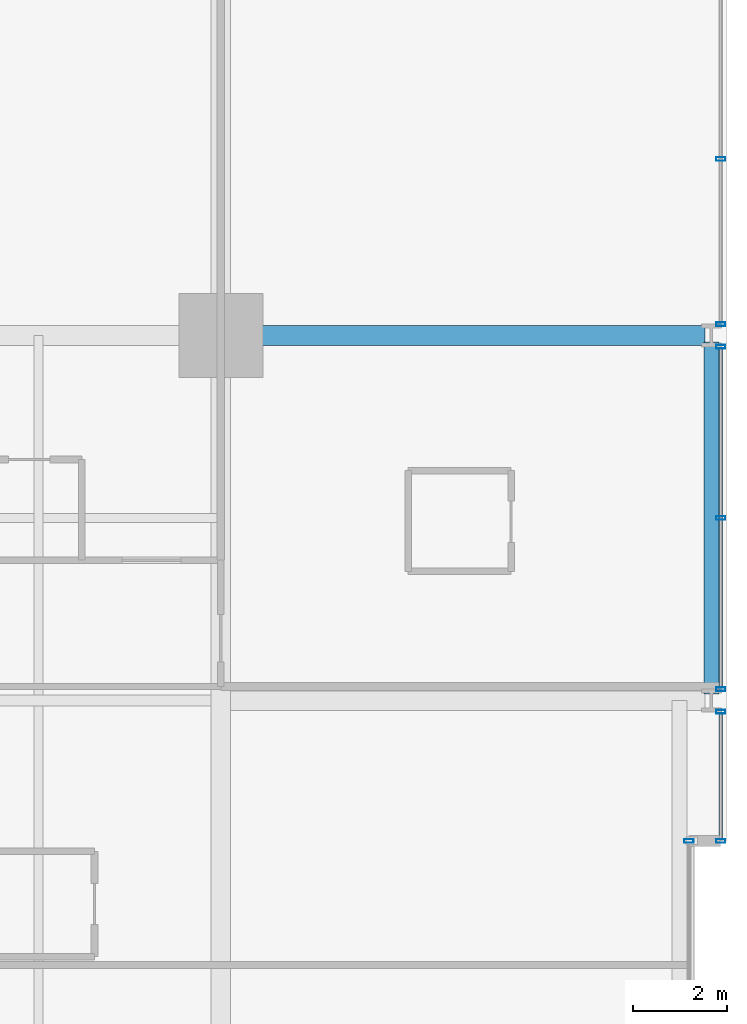
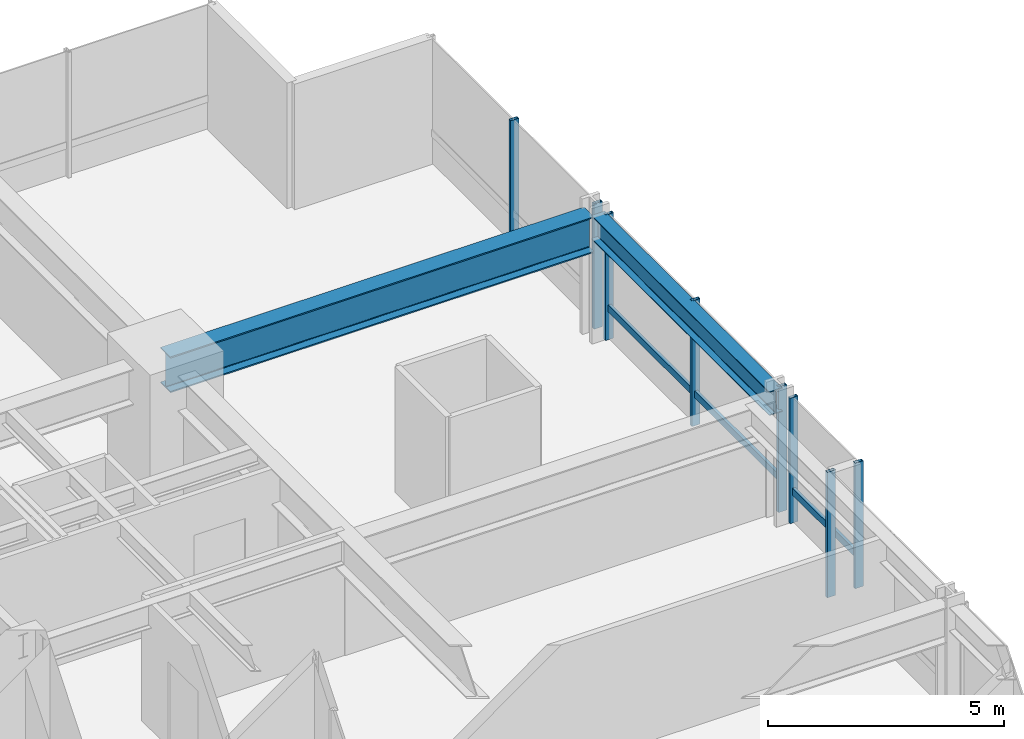
# One storey, part 25 of 38: 10 members, 2 beams, 4 elements without a shape of their own.
"""IFC4 building model written with IfcOpenShell, lengths in metres."""

from ifc_helpers import new_model, si_unit, direction, frame, origin, origin_2d, place, context, subcontext, project, spatial, hollow_rectangle, i_section, extrude, material, layer, layer_set, material_profile, profile_set, type_object, element, aggregate, save


model = new_model("IFC4")

# Units and contexts
model_context = context("Model", 3, precision=1e-05, world=origin(), true_north=direction((0.0, 1.0)))
body_context = subcontext(model_context, "Body", "Model", "MODEL_VIEW")
ifc_project = project(units=[si_unit("LENGTHUNIT", "METRE"), si_unit("AREAUNIT", "SQUARE_METRE"), si_unit("VOLUMEUNIT", "CUBIC_METRE"), si_unit("PLANEANGLEUNIT", "RADIAN"), si_unit("MASSUNIT", "GRAM", prefix="KILO")], contexts=[model_context])

# Site, building, storey
site_placement = place(None, origin())
site = spatial("IfcSite", under=ifc_project, at=site_placement, CompositionType="ELEMENT")
building_placement = place(site_placement, origin())
building = spatial("IfcBuilding", under=site, at=building_placement, Name="Drelvath Grand Hotel", CompositionType="ELEMENT")
storey_placement = place(building_placement, frame((0.0, 0.0, 57.699951171875)))
storey = spatial("IfcBuildingStorey", under=building, at=storey_placement, Name="L13", CompositionType="ELEMENT", Elevation=57.699951171875)

# Curtain wall, member
ifc_material_1 = material(Name="Warm Bronze Anodised Aluminium Frame", Category="aluminium")
ifc_layer = layer(ifc_material_1, 0.199951171875)
ifc_layer_set = layer_set([ifc_layer], Name="Warm Bronze Anodised Aluminium Frame")
curtain_wall_type = type_object("IfcCurtainWallType", Name="Stick Curtain Wall CW-02 Warm Bronze Low-Rise", PredefinedType="NOTDEFINED", material=ifc_layer_set)
curtain_wall_1_placement = place(storey_placement, origin())
curtain_wall_1 = element("IfcCurtainWall", 1, at=curtain_wall_1_placement, inside=storey, type_object=curtain_wall_type, Name="L13 CW-02 Curtain Wall CW02-L13-EN1", PredefinedType="NOTDEFINED")
ifc_material_profile_1 = material_profile(ifc_material_1, hollow_rectangle(XDim=0.074951171875, YDim=0.179931640625, WallThickness=0.0048828125, at=origin_2d()), Name="HSS180X75X5")
ifc_profile_set_1 = profile_set([ifc_material_profile_1], Name="Warm Bronze Anodised Aluminium Frame")
member_type_1 = type_object("IfcMemberType", Name="Curtain Wall Horizontal Transom CW-02 HSS180X75X5", PredefinedType="USERDEFINED", material=ifc_profile_set_1)
member_1_placement = place(storey_placement, frame((26.8798828125, 35.119140625, 0.81005859375), z_axis=(0.0, -1.0, 0.0), x_axis=(1.0, 0.0, 0.0)))
member_1 = element("IfcMember", 2, at=member_1_placement, type_object=member_type_1, Name="CW02-L13-EN1 Sill Transom", ObjectType="TRANSOM", PredefinedType="USERDEFINED", context=body_context, shape_type="SweptSolid", body=[
    extrude(hollow_rectangle(XDim=0.074951171875, YDim=0.179931640625, WallThickness=0.0048828125, at=origin_2d()), origin(), (0.0, 0.0, 1.0), 2.67919921875),
])

curtain_wall_2_placement = place(storey_placement, origin())
curtain_wall_2 = element("IfcCurtainWall", 3, at=curtain_wall_2_placement, inside=storey, type_object=curtain_wall_type, Name="L13 CW-02 Curtain Wall CW02-L13-EN2", PredefinedType="NOTDEFINED")
member_2_placement = place(storey_placement, frame((26.8798828125, 42.919189453125, 0.81005859375), z_axis=(0.0, -1.0, 0.0), x_axis=(1.0, 0.0, 0.0)))
member_2 = element("IfcMember", 4, at=member_2_placement, type_object=member_type_1, Name="CW02-L13-EN2 Sill Transom", ObjectType="TRANSOM", PredefinedType="USERDEFINED", context=body_context, shape_type="SweptSolid", body=[
    extrude(hollow_rectangle(XDim=0.074951171875, YDim=0.179931640625, WallThickness=0.0048828125, at=origin_2d()), origin(), (0.0, 0.0, 1.0), 7.23828125),
])

# Member
ifc_material_profile_2 = material_profile(ifc_material_1, hollow_rectangle(XDim=0.080078125, YDim=0.199951171875, WallThickness=0.0048828125, at=origin_2d()), Name="HSS200X80X5")
ifc_profile_set_2 = profile_set([ifc_material_profile_2], Name="Warm Bronze Anodised Aluminium Frame")
member_type_2 = type_object("IfcMemberType", Name="Curtain Wall Vertical Mullion CW-02 HSS200X80X5", PredefinedType="MULLION", material=ifc_profile_set_2)
member_3_placement = place(storey_placement, frame((26.8798828125, 35.1591796875, 0.0), z_axis=(0.0, 0.0, 1.0), x_axis=(0.0, 1.0, 0.0)))
member_3 = element("IfcMember", 5, at=member_3_placement, type_object=member_type_2, Name="CW02-L13-EN1 Mullion 1", PredefinedType="MULLION", context=body_context, shape_type="SweptSolid", body=[
    extrude(hollow_rectangle(XDim=0.080078125, YDim=0.199951171875, WallThickness=0.0048828125, at=origin_2d()), origin(), (0.0, 0.0, 1.0), 3.239990234375),
])

member_4_placement = place(storey_placement, frame((26.8798828125, 32.39990234375, 0.0), z_axis=(0.0, 0.0, 1.0), x_axis=(0.0, 1.0, 0.0)))
member_4 = element("IfcMember", 6, at=member_4_placement, type_object=member_type_2, Name="CW02-L13-EN1 Mullion 2", PredefinedType="MULLION", context=body_context, shape_type="SweptSolid", body=[
    extrude(hollow_rectangle(XDim=0.080078125, YDim=0.199951171875, WallThickness=0.0048828125, at=origin_2d()), origin(), (0.0, 0.0, 1.0), 3.239990234375),
])

aggregate(curtain_wall_1, [member_3, member_4, member_1])

member_5_placement = place(storey_placement, frame((26.8798828125, 42.958984375, 0.0), z_axis=(0.0, 0.0, 1.0), x_axis=(0.0, 1.0, 0.0)))
member_5 = element("IfcMember", 7, at=member_5_placement, type_object=member_type_2, Name="CW02-L13-EN2 Mullion 1", PredefinedType="MULLION", context=body_context, shape_type="SweptSolid", body=[
    extrude(hollow_rectangle(XDim=0.080078125, YDim=0.199951171875, WallThickness=0.0048828125, at=origin_2d()), origin(), (0.0, 0.0, 1.0), 3.239990234375),
])

member_6_placement = place(storey_placement, frame((26.8798828125, 39.300048828125, 0.0), z_axis=(0.0, 0.0, 1.0), x_axis=(0.0, 1.0, 0.0)))
member_6 = element("IfcMember", 8, at=member_6_placement, type_object=member_type_2, Name="CW02-L13-EN2 Mullion 2", PredefinedType="MULLION", context=body_context, shape_type="SweptSolid", body=[
    extrude(hollow_rectangle(XDim=0.080078125, YDim=0.199951171875, WallThickness=0.0048828125, at=origin_2d()), origin(), (0.0, 0.0, 1.0), 3.239990234375),
])

member_7_placement = place(storey_placement, frame((26.8798828125, 35.640869140625, 0.0), z_axis=(0.0, 0.0, 1.0), x_axis=(0.0, 1.0, 0.0)))
member_7 = element("IfcMember", 9, at=member_7_placement, type_object=member_type_2, Name="CW02-L13-EN2 Mullion 3", PredefinedType="MULLION", context=body_context, shape_type="SweptSolid", body=[
    extrude(hollow_rectangle(XDim=0.080078125, YDim=0.199951171875, WallThickness=0.0048828125, at=origin_2d()), origin(), (0.0, 0.0, 1.0), 3.239990234375),
])

aggregate(curtain_wall_2, [member_5, member_6, member_7, member_2])

# Curtain wall, members
curtain_wall_3_placement = place(storey_placement, origin())
curtain_wall_3 = element("IfcCurtainWall", 10, at=curtain_wall_3_placement, inside=storey, type_object=curtain_wall_type, Name="L13 CW-02 Curtain Wall CW02-L13-EN3", PredefinedType="NOTDEFINED")
member_8_placement = place(storey_placement, frame((26.8798828125, 46.970458984375, 0.0), z_axis=(0.0, 0.0, 1.0), x_axis=(0.0, 1.0, 0.0)))
member_8 = element("IfcMember", 11, at=member_8_placement, type_object=member_type_2, Name="CW02-L13-EN3 Mullion 2", PredefinedType="MULLION", context=body_context, shape_type="SweptSolid", body=[
    extrude(hollow_rectangle(XDim=0.080078125, YDim=0.199951171875, WallThickness=0.0048828125, at=origin_2d()), origin(), (0.0, 0.0, 1.0), 3.239990234375),
])
member_9_placement = place(storey_placement, frame((26.8798828125, 43.44091796875, 0.0), z_axis=(0.0, 0.0, 1.0), x_axis=(0.0, 1.0, 0.0)))
member_9 = element("IfcMember", 12, at=member_9_placement, type_object=member_type_2, Name="CW02-L13-EN3 Mullion 3", PredefinedType="MULLION", context=body_context, shape_type="SweptSolid", body=[
    extrude(hollow_rectangle(XDim=0.080078125, YDim=0.199951171875, WallThickness=0.0048828125, at=origin_2d()), origin(), (0.0, 0.0, 1.0), 3.239990234375),
])
aggregate(curtain_wall_3, [member_8, member_9])

# Curtain wall, member
curtain_wall_4_placement = place(storey_placement, origin())
curtain_wall_4 = element("IfcCurtainWall", 13, at=curtain_wall_4_placement, inside=storey, type_object=curtain_wall_type, Name="L13 CW-02 Curtain Wall CW02-L13-EM2", PredefinedType="NOTDEFINED")
member_10_placement = place(storey_placement, frame((26.199951171875, 32.39990234375, 0.0), z_axis=(0.0, 0.0, 1.0), x_axis=(0.0, 1.0, 0.0)))
member_10 = element("IfcMember", 14, at=member_10_placement, type_object=member_type_2, Name="CW02-L13-EM2 Mullion 1", PredefinedType="MULLION", context=body_context, shape_type="SweptSolid", body=[
    extrude(hollow_rectangle(XDim=0.080078125, YDim=0.199951171875, WallThickness=0.0048828125, at=origin_2d()), origin(), (0.0, 0.0, 1.0), 3.239990234375),
])
aggregate(curtain_wall_4, [member_10])

# Beams
ifc_material_2 = material(Name="Steel ASTM A992 Gr 50", Category="steel")
ifc_material_profile_3 = material_profile(ifc_material_2, i_section(OverallWidth=0.323974609375, OverallDepth=0.611083984375, WebThickness=0.0126953125, FlangeThickness=0.01904296875, FilletRadius=0.02197265625, at=origin_2d()), Name="W24X104")
ifc_profile_set_3 = profile_set([ifc_material_profile_3], Name="Steel ASTM A992 Gr 50")
beam_type_1 = type_object("IfcBeamType", Name="Perimeter Spandrel Beam W24X104", PredefinedType="SPANDREL", material=ifc_profile_set_3)
beam_1_placement = place(storey_placement, frame((26.679931640625, 35.5400390625, 2.9345703125), z_axis=(0.0, 1.0, 0.0), x_axis=(-1.0, 0.0, 0.0)))
element("IfcBeam", 15, at=beam_1_placement, inside=storey, type_object=beam_type_1, Name="L13 Spandrel East N", PredefinedType="SPANDREL", context=body_context, shape_type="SweptSolid", body=[
    extrude(i_section(OverallWidth=0.323974609375, OverallDepth=0.611083984375, WebThickness=0.0126953125, FlangeThickness=0.01904296875, FilletRadius=0.02197265625, at=origin_2d()), origin(), (0.0, 0.0, 1.0), 7.52001953125),
])
ifc_material_profile_4 = material_profile(ifc_material_2, i_section(OverallWidth=0.418212890625, OverallDepth=0.926513671875, WebThickness=0.019287109375, FlangeThickness=0.031982421875, FilletRadius=0.028076171875, at=origin_2d()), Name="W36X231")
ifc_profile_set_4 = profile_set([ifc_material_profile_4], Name="Steel ASTM A992 Gr 50")
beam_type_2 = type_object("IfcBeamType", Name="Primary Floor Girder W36X231", PredefinedType="BEAM", material=ifc_profile_set_4)
beam_2_placement = place(storey_placement, frame((16.199951171875, 43.199951171875, 2.77685546875), z_axis=(1.0, 0.0, 0.0), x_axis=(0.0, 1.0, 0.0)))
element("IfcBeam", 16, at=beam_2_placement, inside=storey, type_object=beam_type_2, Name="L13 East Grid Girder G", PredefinedType="BEAM", context=body_context, shape_type="SweptSolid", body=[
    extrude(i_section(OverallWidth=0.418212890625, OverallDepth=0.926513671875, WebThickness=0.019287109375, FlangeThickness=0.031982421875, FilletRadius=0.028076171875, at=origin_2d()), origin(), (0.0, 0.0, 1.0), 10.340087890625),
])

save(model, "model.ifc")
